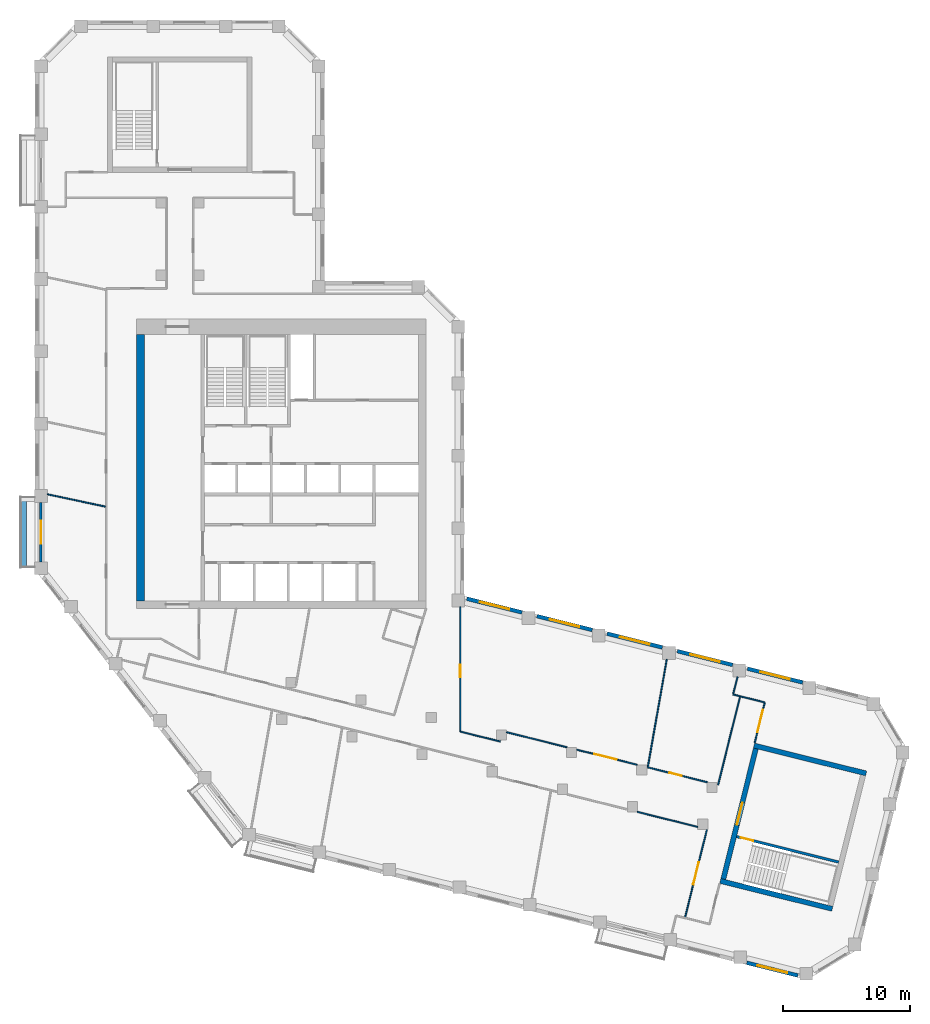
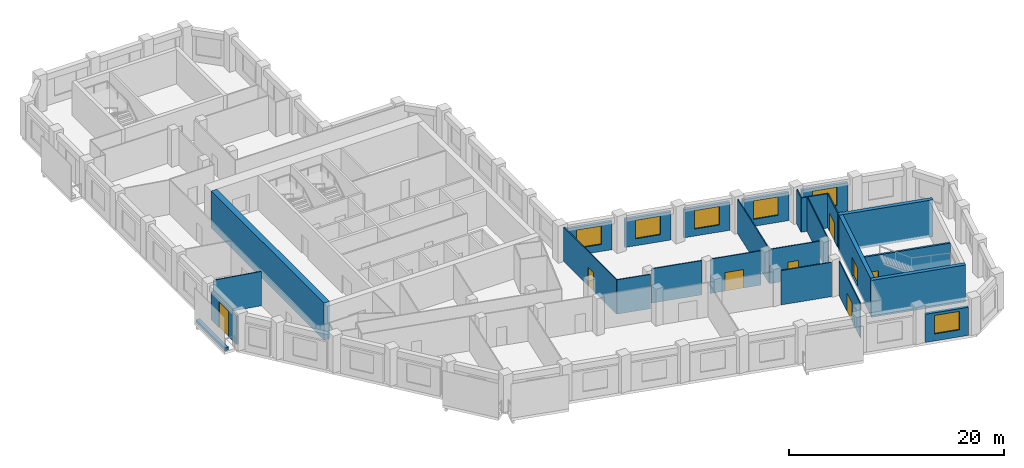
# One storey, part 4 of 9: 27 walls, 8 doors, 6 windows, 14 openings.
"""IFC4 building model written with IfcOpenShell, lengths in metres."""

import ifcopenshell
import ifcopenshell.guid

model = None  # the IFC model being written
_history = None  # IfcOwnerHistory: only IFC2X3 demands one
_inside = {}  # id of a spatial element -> (the spatial element, [elements in it])
_under = {}  # id of a project, library or spatial element -> (it, [spatial elements below it])
_declared = {}  # id of a project -> (the project, [libraries it declares])
_typed = {}  # id of a type object -> (the type object, [elements of that type])
_made_of = {}  # id of a material, layer set ... -> (it, [elements and type objects made of it])


def new_model(schema):
    """Start an empty IFC model of exactly this schema.

    Asked for "IFC4X3", IfcOpenShell would pick the latest addendum, in which some entities
    have other attributes; the version numbers below select the first issue.
    IFC2X3 requires an IfcOwnerHistory on every rooted entity: one is made here for all.
    """
    global model, _history
    if schema == "IFC4X3":
        model = ifcopenshell.file(schema_version=(4, 3, 0, 0))
    else:
        model = ifcopenshell.file(schema=schema)
    _inside.clear()
    _under.clear()
    _declared.clear()
    _typed.clear()
    _made_of.clear()
    _history = None
    if model.schema == "IFC2X3":
        org = make("IfcOrganization", Name="unknown")
        user = make(
            "IfcPersonAndOrganization",
            ThePerson=make("IfcPerson", FamilyName="unknown"),
            TheOrganization=org,
        )
        app = make(
            "IfcApplication",
            ApplicationDeveloper=org,
            Version="unknown",
            ApplicationFullName="unknown",
            ApplicationIdentifier="unknown",
        )
        _history = make(
            "IfcOwnerHistory",
            OwningUser=user,
            OwningApplication=app,
            ChangeAction="ADDED",
            CreationDate=0,
        )
    return model


def make(cls, **values):
    """One entity of the class cls with the attributes given. An attribute that is None is left unset."""
    return model.create_entity(
        cls, **{name: value for name, value in values.items() if value is not None}
    )


def rooted(cls, **values):
    """An entity with a GlobalId (a new one), such as an element, a storey or a relation."""
    return make(cls, GlobalId=ifcopenshell.guid.new(), OwnerHistory=_history, **values)


def si_unit(unit_type, name, prefix=None):
    """IfcSIUnit, for example si_unit("LENGTHUNIT", "METRE", prefix="MILLI")."""
    return make("IfcSIUnit", UnitType=unit_type, Prefix=prefix, Name=name)


def assignment(units):
    """IfcUnitAssignment: the units of a project."""
    return None if units is None else make("IfcUnitAssignment", Units=units)


def point(xyz):
    """IfcCartesianPoint."""
    return None if xyz is None else make("IfcCartesianPoint", Coordinates=xyz)


def direction(xyz):
    """IfcDirection."""
    return None if xyz is None else make("IfcDirection", DirectionRatios=xyz)


def frame(location, z_axis=None, x_axis=None):
    """IfcAxis2Placement3D, a coordinate frame: its origin and axes. An axis left out is left unset."""
    return make(
        "IfcAxis2Placement3D",
        Location=point(location),
        Axis=direction(z_axis),
        RefDirection=direction(x_axis),
    )


def frame_2d(location, x_axis=None):
    """IfcAxis2Placement2D, a coordinate frame in the plane: its origin and x axis."""
    return make(
        "IfcAxis2Placement2D", Location=point(location), RefDirection=direction(x_axis)
    )


def origin():
    """The frame at (0, 0, 0) with its axes left unset."""
    return frame((0.0, 0.0, 0.0))


def place(relative_to, where):
    """IfcLocalPlacement: puts the frame where relative to a parent placement (None: the world)."""
    return make(
        "IfcLocalPlacement", PlacementRelTo=relative_to, RelativePlacement=where
    )


def context(
    kind, dimensions, precision=None, world=None, true_north=None, identifier=None
):
    """IfcGeometricRepresentationContext, for example the 3D "Model" context."""
    return make(
        "IfcGeometricRepresentationContext",
        ContextIdentifier=identifier,
        ContextType=kind,
        CoordinateSpaceDimension=dimensions,
        Precision=precision,
        WorldCoordinateSystem=world,
        TrueNorth=true_north,
    )


def subcontext(parent, identifier, kind, view, scale=None):
    """IfcGeometricRepresentationSubContext, for example "Body" below "Model"."""
    return make(
        "IfcGeometricRepresentationSubContext",
        ContextIdentifier=identifier,
        ContextType=kind,
        ParentContext=parent,
        TargetScale=scale,
        TargetView=view,
    )


def project(units=None, contexts=None):
    """IfcProject with its units and contexts."""
    return rooted(
        "IfcProject",
        Name="project",
        RepresentationContexts=contexts,
        UnitsInContext=assignment(units),
    )


def spatial(cls, under=None, at=None, **own):
    """A site, building, storey or space (cls), placed at a placement, below another one or the project."""
    s = rooted(cls, ObjectPlacement=at, **own)
    if under is not None:
        _under.setdefault(under.id(), (under, []))[1].append(s)
    return s


def profile(cls, at=None, kind="AREA", **sizes):
    """A parametric profile (cls). Its sizes go by their IFC names, for example OverallWidth=200.0."""
    return make(cls, ProfileType=kind, Position=at, **sizes)


def rectangle(**sizes):
    """IfcRectangleProfileDef."""
    return profile("IfcRectangleProfileDef", **sizes)


def extrude(swept, where, along, depth):
    """IfcExtrudedAreaSolid: the profile swept, set in the frame where, extruded along a direction by depth."""
    return make(
        "IfcExtrudedAreaSolid",
        SweptArea=swept,
        Position=where,
        ExtrudedDirection=direction(along),
        Depth=depth,
    )


def shape(context_of_items, identifier, shape_type, items):
    """IfcShapeRepresentation: the items that make up one representation, for example the "Body"."""
    return make(
        "IfcShapeRepresentation",
        ContextOfItems=context_of_items,
        RepresentationIdentifier=identifier,
        RepresentationType=shape_type,
        Items=items,
    )


def material(Name=None, Category=None):
    """IfcMaterial."""
    return make("IfcMaterial", Name=Name, Category=Category)


def layer(
    of_material, thickness, ventilated=None, Name=None, Category=None, Priority=None
):
    """IfcMaterialLayer: one layer of a wall or slab, of a material (None: an air gap)."""
    return make(
        "IfcMaterialLayer",
        Material=of_material,
        LayerThickness=thickness,
        IsVentilated=ventilated,
        Name=Name,
        Category=Category,
        Priority=Priority,
    )


def layer_set(layers, Name=None):
    """IfcMaterialLayerSet."""
    return make("IfcMaterialLayerSet", MaterialLayers=layers, LayerSetName=Name)


def made_of(thing, what):
    """Note that an element or type object is made of a material, layer set ...; save() writes the relation."""
    if what is not None:
        _made_of.setdefault(what.id(), (what, []))[1].append(thing)
    return thing


def type_object(cls, material=None, **own):
    """A type object (cls), such as IfcWallType, which elements share."""
    return made_of(rooted(cls, **own), material)


def element(
    cls,
    number,
    at=None,
    inside=None,
    cuts=None,
    type_object=None,
    material=None,
    context=None,
    identifier="Body",
    shape_type=None,
    held_by="IfcProductDefinitionShape",
    body=None,
    shapes=None,
    **own,
):
    """One element of the class cls, such as IfcWall. Its Tag is "e" and its number.

    at: its placement. inside: the storey or other place that contains it. cuts: it is an
    opening in that element (IfcRelVoidsElement). A single representation is given by context,
    identifier, shape_type and body (its items); several are given by shapes. held_by: the class
    of the entity that holds the representations. save() writes the other relations.
    """
    e = rooted(cls, Tag="e%d" % number, ObjectPlacement=at, **own)
    if body is not None:
        shapes = [shape(context, identifier, shape_type, body)]
    if shapes is not None:
        e.Representation = make(held_by, Representations=shapes)
    if inside is not None:
        _inside.setdefault(inside.id(), (inside, []))[1].append(e)
    if cuts is not None:
        rooted(
            "IfcRelVoidsElement", RelatingBuildingElement=cuts, RelatedOpeningElement=e
        )
    if type_object is not None:
        _typed.setdefault(type_object.id(), (type_object, []))[1].append(e)
    return made_of(e, material)


def fill(opening, filler):
    """IfcRelFillsElement: the door or window that sits in an opening."""
    return rooted(
        "IfcRelFillsElement",
        RelatingOpeningElement=opening,
        RelatedBuildingElement=filler,
    )


def aggregate(whole, parts):
    """IfcRelAggregates: a whole, such as a stair, and the parts it consists of."""
    return rooted("IfcRelAggregates", RelatingObject=whole, RelatedObjects=parts)


def save(model, path):
    """Write the relations noted so far, then the file.

    IfcRelAggregates (storeys below a building ...), IfcRelContainedInSpatialStructure (elements
    in a storey), IfcRelDefinesByType, IfcRelAssociatesMaterial and IfcRelDeclares: one each for
    every whole, place, type object, material and project.
    """
    for whole, parts in _under.values():
        aggregate(whole, parts)
    for where, things in _inside.values():
        rooted(
            "IfcRelContainedInSpatialStructure",
            RelatedElements=things,
            RelatingStructure=where,
        )
    for kind, things in _typed.values():
        rooted("IfcRelDefinesByType", RelatedObjects=things, RelatingType=kind)
    for what, things in _made_of.values():
        rooted("IfcRelAssociatesMaterial", RelatedObjects=things, RelatingMaterial=what)
    for by, libraries in _declared.values():
        rooted("IfcRelDeclares", RelatingContext=by, RelatedDefinitions=libraries)
    model.write(path)


model = new_model("IFC4")

# Units and contexts
model_context = context("Model", 3, precision=1e-05, world=origin(), true_north=direction((0.0, 1.0)))
body_context = subcontext(model_context, "Body", "Model", "MODEL_VIEW")
ifc_project = project(units=[si_unit("LENGTHUNIT", "METRE"), si_unit("AREAUNIT", "SQUARE_METRE"), si_unit("VOLUMEUNIT", "CUBIC_METRE"), si_unit("PLANEANGLEUNIT", "RADIAN"), si_unit("MASSUNIT", "GRAM", prefix="KILO")], contexts=[model_context])

# Site, building, storey
site_placement = place(None, origin())
site = spatial("IfcSite", under=ifc_project, at=site_placement, CompositionType="ELEMENT")
building_placement = place(site_placement, origin())
building = spatial("IfcBuilding", under=site, at=building_placement, Name="Meshkara Civic Tower", CompositionType="ELEMENT")
storey_placement = place(building_placement, frame((0.0, 0.0, 294.0)))
storey = spatial("IfcBuildingStorey", under=building, at=storey_placement, Name="L67", CompositionType="ELEMENT", Elevation=294.0)

# Wall
ifc_material_1 = material(Name="Concrete C60", Category="concrete")
ifc_layer_1 = layer(ifc_material_1, 0.60009765625)
ifc_layer_set_1 = layer_set([ifc_layer_1], Name="Core ring wall 600 C60")
wall_type_1 = type_object("IfcWallType", Name="Core ring wall 600 C60", PredefinedType="SHEAR", material=ifc_layer_set_1)
wall_1_placement = place(storey_placement, frame((8.300048828125, 14.699951171875, -0.300048828125), z_axis=(0.0, 0.0, 1.0), x_axis=(0.0, 1.0, 0.0)))
element("IfcWall", 1, at=wall_1_placement, inside=storey, type_object=wall_type_1, Name="L67-C003", PredefinedType="SHEAR", context=body_context, shape_type="SweptSolid", body=[
    extrude(rectangle(XDim=21.0, YDim=0.60009765625, at=frame_2d((10.5, 0.0))), origin(), (0.0, 0.0, 1.0), 4.199951171875),
])

# Wall, opening, door
ifc_material_2 = material(Name="Corridor wall 100")
ifc_layer_2 = layer(ifc_material_2, 0.10009765625)
ifc_layer_set_2 = layer_set([ifc_layer_2], Name="Corridor wall 100")
wall_type_2 = type_object("IfcWallType", Name="Corridor wall 100", PredefinedType="PARTITIONING", material=ifc_layer_set_2)
wall_2_placement = place(storey_placement, frame((33.5, 4.39111328125, 0.0), z_axis=(0.0, 0.0, 1.0), x_axis=(0.0, 1.0, 0.0)))
wall_2 = element("IfcWall", 2, at=wall_2_placement, inside=storey, type_object=wall_type_2, Name="L67-W020", PredefinedType="PARTITIONING", context=body_context, shape_type="SweptSolid", body=[
    extrude(rectangle(XDim=9.827880859375, YDim=0.10009765625, at=frame_2d((4.9140625, 0.0))), origin(), (0.0, 0.0, 1.0), 3.89990234375),
])
opening_1_placement = place(wall_2_placement, frame((4.280029296875, 0.0, 0.0)))
opening_1 = element("IfcOpeningElement", 3, at=opening_1_placement, cuts=wall_2, Name="Opening L67-D012", PredefinedType="OPENING", context=body_context, shape_type="SweptSolid", body=[
    extrude(rectangle(XDim=1.0, YDim=2.10009765625, at=frame_2d((0.5, 1.050048828125))), frame((0.0, 0.06005859375, 0.0), z_axis=(0.0, -1.0, 0.0), x_axis=(1.0, 0.0, 0.0)), (0.0, 0.0, 1.0), 0.1201171875),
])
ifc_material_3 = material(Name="Door 1000 x 2100")
door_type_1 = type_object("IfcDoorType", Name="Door 1000 x 2100", OperationType="SINGLE_SWING_LEFT", PredefinedType="DOOR", material=ifc_material_3)
door_1_placement = place(opening_1_placement, origin())
door_1 = element("IfcDoor", 4, at=door_1_placement, inside=storey, type_object=door_type_1, Name="L67-D012", OperationType="SINGLE_SWING_RIGHT", OverallHeight=2.10009765625, OverallWidth=1.0, PredefinedType="DOOR", context=body_context, shape_type="SweptSolid", body=[
    extrude(rectangle(XDim=1.0, YDim=2.10009765625, at=frame_2d((0.5, 1.050048828125))), frame((0.0, 0.02490234375, 0.0), z_axis=(0.0, -1.0, 0.0), x_axis=(1.0, 0.0, 0.0)), (0.0, 0.0, 1.0), 0.050048828125),
])
fill(opening_1, door_1)

# Walls
wall_3_placement = place(storey_placement, frame((36.656005859375, 3.60400390625, 0.0), z_axis=(0.0, 0.0, 1.0), x_axis=(-0.970279216762, 0.241988102022, 0.0)))
element("IfcWall", 5, at=wall_3_placement, inside=storey, type_object=wall_type_2, Name="L67-W022", PredefinedType="PARTITIONING", context=body_context, shape_type="SweptSolid", body=[
    extrude(rectangle(XDim=3.252685546875, YDim=0.10009765625, at=frame_2d((1.62646484375, 0.0))), origin(), (0.0, 0.0, 1.0), 3.89990234375),
])
wall_4_placement = place(storey_placement, frame((41.908935546875, 3.155029296875, 0.0), z_axis=(0.0, 0.0, 1.0), x_axis=(-0.970320559999, 0.241822271189, 0.0)))
element("IfcWall", 6, at=wall_4_placement, inside=storey, type_object=wall_type_2, Name="L67-W024", PredefinedType="PARTITIONING", context=body_context, shape_type="SweptSolid", body=[
    extrude(rectangle(XDim=4.91259765625, YDim=0.10009765625, at=frame_2d((2.456298828125, 0.0))), origin(), (0.0, 0.0, 1.0), 3.89990234375),
])
wall_5_placement = place(storey_placement, frame((47.444091796875, -1.93505859375, 0.0), z_axis=(0.0, 0.0, 1.0), x_axis=(0.970285656006, -0.241962281665, 0.0)))
element("IfcWall", 7, at=wall_5_placement, inside=storey, type_object=wall_type_2, Name="L67-W025", PredefinedType="PARTITIONING", context=body_context, shape_type="SweptSolid", body=[
    extrude(rectangle(XDim=4.909912109375, YDim=0.10009765625, at=frame_2d((2.455078125, 0.0))), origin(), (0.0, 0.0, 1.0), 3.89990234375),
])

# Wall, opening, door
wall_6_placement = place(storey_placement, frame((47.44189453125, 1.77587890625, 0.0), z_axis=(0.0, 0.0, 1.0), x_axis=(-0.970297139117, 0.241916228932, 0.0)))
wall_6 = element("IfcWall", 8, at=wall_6_placement, inside=storey, type_object=wall_type_2, Name="L67-W026", PredefinedType="PARTITIONING", context=body_context, shape_type="SweptSolid", body=[
    extrude(rectangle(XDim=4.915771484375, YDim=0.10009765625, at=frame_2d((2.4580078125, 0.0))), origin(), (0.0, 0.0, 1.0), 3.89990234375),
])
opening_2_placement = place(wall_6_placement, frame((1.679931640625, 0.0, 0.0)))
opening_2 = element("IfcOpeningElement", 9, at=opening_2_placement, cuts=wall_6, Name="Opening L67-D006", PredefinedType="OPENING", context=body_context, shape_type="SweptSolid", body=[
    extrude(rectangle(XDim=1.800048828125, YDim=2.10009765625, at=frame_2d((0.89990234375, 1.050048828125))), frame((0.0, 0.06005859375, 0.0), z_axis=(0.0, -1.0, 0.0), x_axis=(1.0, 0.0, 0.0)), (0.0, 0.0, 1.0), 0.1201171875),
])
ifc_material_4 = material(Name="Door pair 1800 x 2100")
door_type_2 = type_object("IfcDoorType", Name="Door pair 1800 x 2100", OperationType="SINGLE_SWING_LEFT", PredefinedType="DOOR", material=ifc_material_4)
door_2_placement = place(opening_2_placement, origin())
door_2 = element("IfcDoor", 10, at=door_2_placement, inside=storey, type_object=door_type_2, Name="L67-D006", OperationType="DOUBLE_DOOR_SINGLE_SWING", OverallHeight=2.10009765625, OverallWidth=1.800048828125, PredefinedType="DOOR", context=body_context, shape_type="SweptSolid", body=[
    extrude(rectangle(XDim=1.800048828125, YDim=2.10009765625, at=frame_2d((0.89990234375, 1.050048828125))), frame((0.0, 0.02490234375, 0.0), z_axis=(0.0, -1.0, 0.0), x_axis=(1.0, 0.0, 0.0)), (0.0, 0.0, 1.0), 0.050048828125),
])
fill(opening_2, door_2)

wall_7_placement = place(storey_placement, frame((52.94091796875, -3.31396484375, 0.0), z_axis=(0.0, 0.0, 1.0), x_axis=(-0.241944492524, -0.97029009195, 0.0)))
wall_7 = element("IfcWall", 11, at=wall_7_placement, inside=storey, type_object=wall_type_2, Name="L67-W028", PredefinedType="PARTITIONING", context=body_context, shape_type="SweptSolid", body=[
    extrude(rectangle(XDim=7.191650390625, YDim=0.10009765625, at=frame_2d((3.595703125, 0.0))), origin(), (0.0, 0.0, 1.0), 3.89990234375),
])
opening_3_placement = place(wall_7_placement, frame((2.679931640625, 0.0, 0.0)))
opening_3 = element("IfcOpeningElement", 12, at=opening_3_placement, cuts=wall_7, Name="Opening L67-D001", PredefinedType="OPENING", context=body_context, shape_type="SweptSolid", body=[
    extrude(rectangle(XDim=1.800048828125, YDim=2.10009765625, at=frame_2d((0.89990234375, 1.050048828125))), frame((0.0, 0.06005859375, 0.0), z_axis=(0.0, -1.0, 0.0), x_axis=(1.0, 0.0, 0.0)), (0.0, 0.0, 1.0), 0.1201171875),
])
door_3_placement = place(opening_3_placement, origin())
door_3 = element("IfcDoor", 13, at=door_3_placement, inside=storey, type_object=door_type_2, Name="L67-D001", OperationType="DOUBLE_DOOR_SINGLE_SWING", OverallHeight=2.10009765625, OverallWidth=1.800048828125, PredefinedType="DOOR", context=body_context, shape_type="SweptSolid", body=[
    extrude(rectangle(XDim=1.800048828125, YDim=2.10009765625, at=frame_2d((0.89990234375, 1.050048828125))), frame((0.0, 0.02490234375, 0.0), z_axis=(0.0, -1.0, 0.0), x_axis=(1.0, 0.0, 0.0)), (0.0, 0.0, 1.0), 0.050048828125),
])
fill(opening_3, door_3)

wall_8_placement = place(storey_placement, frame((52.971923828125, 0.39697265625, 0.0), z_axis=(0.0, 0.0, 1.0), x_axis=(-0.970281685696, 0.241978202329, 0.0)))
wall_8 = element("IfcWall", 14, at=wall_8_placement, inside=storey, type_object=wall_type_2, Name="L67-W029", PredefinedType="PARTITIONING", context=body_context, shape_type="SweptSolid", body=[
    extrude(rectangle(XDim=4.843994140625, YDim=0.10009765625, at=frame_2d((2.421875, 0.0))), origin(), (0.0, 0.0, 1.0), 3.89990234375),
])
opening_4_placement = place(wall_8_placement, frame((2.080078125, 0.0, 0.0)))
opening_4 = element("IfcOpeningElement", 15, at=opening_4_placement, cuts=wall_8, Name="Opening L67-D007", PredefinedType="OPENING", context=body_context, shape_type="SweptSolid", body=[
    extrude(rectangle(XDim=1.0, YDim=2.10009765625, at=frame_2d((0.5, 1.050048828125))), frame((0.0, 0.06005859375, 0.0), z_axis=(0.0, -1.0, 0.0), x_axis=(1.0, 0.0, 0.0)), (0.0, 0.0, 1.0), 0.1201171875),
])
door_4_placement = place(opening_4_placement, origin())
door_4 = element("IfcDoor", 16, at=door_4_placement, inside=storey, type_object=door_type_1, Name="L67-D007", OperationType="SINGLE_SWING_LEFT", OverallHeight=2.10009765625, OverallWidth=1.0, PredefinedType="DOOR", context=body_context, shape_type="SweptSolid", body=[
    extrude(rectangle(XDim=1.0, YDim=2.10009765625, at=frame_2d((0.5, 1.050048828125))), frame((0.0, 0.02490234375, 0.0), z_axis=(0.0, -1.0, 0.0), x_axis=(1.0, 0.0, 0.0)), (0.0, 0.0, 1.0), 0.050048828125),
])
fill(opening_4, door_4)

# Wall
wall_9_placement = place(storey_placement, frame((55.555908203125, 7.173095703125, 0.0), z_axis=(0.0, 0.0, 1.0), x_axis=(-0.241937193493, -0.970291911955, 0.0)))
element("IfcWall", 17, at=wall_9_placement, inside=storey, type_object=wall_type_2, Name="L67-W031", PredefinedType="PARTITIONING", context=body_context, shape_type="SweptSolid", body=[
    extrude(rectangle(XDim=7.199951171875, YDim=0.10009765625, at=frame_2d((3.60009765625, 0.0))), origin(), (0.0, 0.0, 1.0), 3.89990234375),
])

# Wall, opening, door
wall_10_placement = place(storey_placement, frame((56.697998046875, 3.487060546875, 0.0), z_axis=(0.0, 0.0, 1.0), x_axis=(0.241856645367, 0.970311992656, 0.0)))
wall_10 = element("IfcWall", 18, at=wall_10_placement, inside=storey, type_object=wall_type_2, Name="L67-W032", PredefinedType="PARTITIONING", context=body_context, shape_type="SweptSolid", body=[
    extrude(rectangle(XDim=3.2998046875, YDim=0.10009765625, at=frame_2d((1.64990234375, 0.0))), origin(), (0.0, 0.0, 1.0), 3.89990234375),
])
opening_5_placement = place(wall_10_placement, frame((0.8798828125, 0.0, 0.0)))
opening_5 = element("IfcOpeningElement", 19, at=opening_5_placement, cuts=wall_10, Name="Opening L67-D008", PredefinedType="OPENING", context=body_context, shape_type="SweptSolid", body=[
    extrude(rectangle(XDim=1.800048828125, YDim=2.10009765625, at=frame_2d((0.89990234375, 1.050048828125))), frame((0.0, 0.06005859375, 0.0), z_axis=(0.0, -1.0, 0.0), x_axis=(1.0, 0.0, 0.0)), (0.0, 0.0, 1.0), 0.1201171875),
])
door_5_placement = place(opening_5_placement, origin())
door_5 = element("IfcDoor", 20, at=door_5_placement, inside=storey, type_object=door_type_2, Name="L67-D008", OperationType="DOUBLE_DOOR_SINGLE_SWING", OverallHeight=2.10009765625, OverallWidth=1.800048828125, PredefinedType="DOOR", context=body_context, shape_type="SweptSolid", body=[
    extrude(rectangle(XDim=1.800048828125, YDim=2.10009765625, at=frame_2d((0.89990234375, 1.050048828125))), frame((0.0, 0.02490234375, 0.0), z_axis=(0.0, -1.0, 0.0), x_axis=(1.0, 0.0, 0.0)), (0.0, 0.0, 1.0), 0.050048828125),
])
fill(opening_5, door_5)

# Wall
wall_11_placement = place(storey_placement, frame((57.49609375, 6.68896484375, 0.0), z_axis=(0.0, 0.0, 1.0), x_axis=(-0.970250131019, 0.242104694829, 0.0)))
element("IfcWall", 21, at=wall_11_placement, inside=storey, type_object=wall_type_2, Name="L67-W033", PredefinedType="PARTITIONING", context=body_context, shape_type="SweptSolid", body=[
    extrude(rectangle(XDim=1.999755859375, YDim=0.10009765625, at=frame_2d((1.0, 0.0))), origin(), (0.0, 0.0, 1.0), 3.89990234375),
])

# Wall, opening, window
ifc_material_5 = material(Name="Insulated infill panel with bronze anodised aluminium cladding", Category="aluminium")
ifc_layer_3 = layer(ifc_material_5, 0.300048828125)
ifc_layer_set_3 = layer_set([ifc_layer_3], Name="EXTERNAL INFILL WALL 300")
wall_type_3 = type_object("IfcWallType", Name="EXTERNAL INFILL WALL 300", PredefinedType="SOLIDWALL", material=ifc_layer_set_3)
wall_12_placement = place(storey_placement, frame((60.488037109375, 8.261962890625, 0.0), z_axis=(0.0, 0.0, 1.0), x_axis=(-0.970276766004, 0.241997928406, 0.0)))
wall_12 = element("IfcWall", 22, at=wall_12_placement, inside=storey, type_object=wall_type_3, Name="External wall", PredefinedType="SOLIDWALL", context=body_context, shape_type="SweptSolid", body=[
    extrude(rectangle(XDim=4.4873046875, YDim=0.300048828125, at=frame_2d((2.24365234375, 0.0))), origin(), (0.0, 0.0, 1.0), 3.199951171875),
])
opening_6_placement = place(wall_12_placement, frame((1.0439453125, 0.0, 0.800048828125)))
opening_6 = element("IfcOpeningElement", 23, at=opening_6_placement, cuts=wall_12, Name="Opening W7", PredefinedType="OPENING", context=body_context, shape_type="SweptSolid", body=[
    extrude(rectangle(XDim=2.39990234375, YDim=2.10009765625, at=frame_2d((1.199951171875, 1.050048828125))), frame((0.0, 0.159912109375, 0.0), z_axis=(0.0, -1.0, 0.0), x_axis=(1.0, 0.0, 0.0)), (0.0, 0.0, 1.0), 0.320068359375),
])
ifc_material_6 = material(Name="Tinted double glazing", Category="glass")
window_type = type_object("IfcWindowType", Name="WINDOW 2400x2100", PartitioningType="DOUBLE_PANEL_VERTICAL", PredefinedType="WINDOW", material=ifc_material_6)
window_1_placement = place(opening_6_placement, origin())
window_1 = element("IfcWindow", 24, at=window_1_placement, inside=storey, type_object=window_type, Name="Window", OverallHeight=2.10009765625, OverallWidth=2.39990234375, PartitioningType="DOUBLE_PANEL_VERTICAL", PredefinedType="WINDOW", context=body_context, shape_type="SweptSolid", body=[
    extrude(rectangle(XDim=2.39990234375, YDim=2.10009765625, at=frame_2d((1.199951171875, 1.050048828125))), frame((0.0, 0.030029296875, 0.0), z_axis=(0.0, -1.0, 0.0), x_axis=(1.0, 0.0, 0.0)), (0.0, 0.0, 1.0), 0.06005859375),
])
fill(opening_6, window_1)

wall_13_placement = place(storey_placement, frame((54.9580078125, 9.64111328125, 0.0), z_axis=(0.0, 0.0, 1.0), x_axis=(-0.970289506684, 0.241946839653, 0.0)))
wall_13 = element("IfcWall", 25, at=wall_13_placement, inside=storey, type_object=wall_type_3, Name="External wall", PredefinedType="SOLIDWALL", context=body_context, shape_type="SweptSolid", body=[
    extrude(rectangle(XDim=4.48828125, YDim=0.300048828125, at=frame_2d((2.244140625, 0.0))), origin(), (0.0, 0.0, 1.0), 3.199951171875),
])
opening_7_placement = place(wall_13_placement, frame((1.0439453125, 0.0, 0.800048828125)))
opening_7 = element("IfcOpeningElement", 26, at=opening_7_placement, cuts=wall_13, Name="Opening W7", PredefinedType="OPENING", context=body_context, shape_type="SweptSolid", body=[
    extrude(rectangle(XDim=2.39990234375, YDim=2.10009765625, at=frame_2d((1.199951171875, 1.050048828125))), frame((0.0, 0.159912109375, 0.0), z_axis=(0.0, -1.0, 0.0), x_axis=(1.0, 0.0, 0.0)), (0.0, 0.0, 1.0), 0.320068359375),
])
window_2_placement = place(opening_7_placement, origin())
window_2 = element("IfcWindow", 27, at=window_2_placement, inside=storey, type_object=window_type, Name="Window", OverallHeight=2.10009765625, OverallWidth=2.39990234375, PartitioningType="DOUBLE_PANEL_VERTICAL", PredefinedType="WINDOW", context=body_context, shape_type="SweptSolid", body=[
    extrude(rectangle(XDim=2.39990234375, YDim=2.10009765625, at=frame_2d((1.199951171875, 1.050048828125))), frame((0.0, 0.030029296875, 0.0), z_axis=(0.0, -1.0, 0.0), x_axis=(1.0, 0.0, 0.0)), (0.0, 0.0, 1.0), 0.06005859375),
])
fill(opening_7, window_2)

wall_14_placement = place(storey_placement, frame((49.427001953125, 11.02001953125, 0.0), z_axis=(0.0, 0.0, 1.0), x_axis=(-0.970289506684, 0.241946839653, 0.0)))
wall_14 = element("IfcWall", 28, at=wall_14_placement, inside=storey, type_object=wall_type_3, Name="External wall", PredefinedType="SOLIDWALL", context=body_context, shape_type="SweptSolid", body=[
    extrude(rectangle(XDim=4.48828125, YDim=0.300048828125, at=frame_2d((2.244140625, 0.0))), origin(), (0.0, 0.0, 1.0), 3.199951171875),
])
opening_8_placement = place(wall_14_placement, frame((1.0439453125, 0.0, 0.800048828125)))
opening_8 = element("IfcOpeningElement", 29, at=opening_8_placement, cuts=wall_14, Name="Opening W7", PredefinedType="OPENING", context=body_context, shape_type="SweptSolid", body=[
    extrude(rectangle(XDim=2.39990234375, YDim=2.10009765625, at=frame_2d((1.199951171875, 1.050048828125))), frame((0.0, 0.159912109375, 0.0), z_axis=(0.0, -1.0, 0.0), x_axis=(1.0, 0.0, 0.0)), (0.0, 0.0, 1.0), 0.320068359375),
])
window_3_placement = place(opening_8_placement, origin())
window_3 = element("IfcWindow", 30, at=window_3_placement, inside=storey, type_object=window_type, Name="Window", OverallHeight=2.10009765625, OverallWidth=2.39990234375, PartitioningType="DOUBLE_PANEL_VERTICAL", PredefinedType="WINDOW", context=body_context, shape_type="SweptSolid", body=[
    extrude(rectangle(XDim=2.39990234375, YDim=2.10009765625, at=frame_2d((1.199951171875, 1.050048828125))), frame((0.0, 0.030029296875, 0.0), z_axis=(0.0, -1.0, 0.0), x_axis=(1.0, 0.0, 0.0)), (0.0, 0.0, 1.0), 0.06005859375),
])
fill(opening_8, window_3)

wall_15_placement = place(storey_placement, frame((43.89599609375, 12.39892578125, 0.0), z_axis=(0.0, 0.0, 1.0), x_axis=(-0.970263990019, 0.242049147224, 0.0)))
wall_15 = element("IfcWall", 31, at=wall_15_placement, inside=storey, type_object=wall_type_3, Name="External wall", PredefinedType="SOLIDWALL", context=body_context, shape_type="SweptSolid", body=[
    extrude(rectangle(XDim=4.487548828125, YDim=0.300048828125, at=frame_2d((2.24365234375, 0.0))), origin(), (0.0, 0.0, 1.0), 3.199951171875),
])
opening_9_placement = place(wall_15_placement, frame((1.0439453125, 0.0, 0.800048828125)))
opening_9 = element("IfcOpeningElement", 32, at=opening_9_placement, cuts=wall_15, Name="Opening W7", PredefinedType="OPENING", context=body_context, shape_type="SweptSolid", body=[
    extrude(rectangle(XDim=2.39990234375, YDim=2.10009765625, at=frame_2d((1.199951171875, 1.050048828125))), frame((0.0, 0.159912109375, 0.0), z_axis=(0.0, -1.0, 0.0), x_axis=(1.0, 0.0, 0.0)), (0.0, 0.0, 1.0), 0.320068359375),
])
window_4_placement = place(opening_9_placement, origin())
window_4 = element("IfcWindow", 33, at=window_4_placement, inside=storey, type_object=window_type, Name="Window", OverallHeight=2.10009765625, OverallWidth=2.39990234375, PartitioningType="DOUBLE_PANEL_VERTICAL", PredefinedType="WINDOW", context=body_context, shape_type="SweptSolid", body=[
    extrude(rectangle(XDim=2.39990234375, YDim=2.10009765625, at=frame_2d((1.199951171875, 1.050048828125))), frame((0.0, 0.030029296875, 0.0), z_axis=(0.0, -1.0, 0.0), x_axis=(1.0, 0.0, 0.0)), (0.0, 0.0, 1.0), 0.06005859375),
])
fill(opening_9, window_4)

wall_16_placement = place(storey_placement, frame((38.365966796875, 13.778076171875, 0.0), z_axis=(0.0, 0.0, 1.0), x_axis=(-0.970289506684, 0.241946839653, 0.0)))
wall_16 = element("IfcWall", 34, at=wall_16_placement, inside=storey, type_object=wall_type_3, Name="External wall", PredefinedType="SOLIDWALL", context=body_context, shape_type="SweptSolid", body=[
    extrude(rectangle(XDim=4.48828125, YDim=0.300048828125, at=frame_2d((2.244140625, 0.0))), origin(), (0.0, 0.0, 1.0), 3.199951171875),
])
opening_10_placement = place(wall_16_placement, frame((1.0439453125, 0.0, 0.800048828125)))
opening_10 = element("IfcOpeningElement", 35, at=opening_10_placement, cuts=wall_16, Name="Opening W7", PredefinedType="OPENING", context=body_context, shape_type="SweptSolid", body=[
    extrude(rectangle(XDim=2.39990234375, YDim=2.10009765625, at=frame_2d((1.199951171875, 1.050048828125))), frame((0.0, 0.159912109375, 0.0), z_axis=(0.0, -1.0, 0.0), x_axis=(1.0, 0.0, 0.0)), (0.0, 0.0, 1.0), 0.320068359375),
])
window_5_placement = place(opening_10_placement, origin())
window_5 = element("IfcWindow", 36, at=window_5_placement, inside=storey, type_object=window_type, Name="Window", OverallHeight=2.10009765625, OverallWidth=2.39990234375, PartitioningType="DOUBLE_PANEL_VERTICAL", PredefinedType="WINDOW", context=body_context, shape_type="SweptSolid", body=[
    extrude(rectangle(XDim=2.39990234375, YDim=2.10009765625, at=frame_2d((1.199951171875, 1.050048828125))), frame((0.0, 0.030029296875, 0.0), z_axis=(0.0, -1.0, 0.0), x_axis=(1.0, 0.0, 0.0)), (0.0, 0.0, 1.0), 0.06005859375),
])
fill(opening_10, window_5)

wall_17_placement = place(storey_placement, frame((56.0810546875, -13.827880859375, 0.0), z_axis=(0.0, 0.0, 1.0), x_axis=(0.970246294139, -0.242120070853, 0.0)))
wall_17 = element("IfcWall", 37, at=wall_17_placement, inside=storey, type_object=wall_type_3, Name="External wall", PredefinedType="SOLIDWALL", context=body_context, shape_type="SweptSolid", body=[
    extrude(rectangle(XDim=4.147216796875, YDim=0.300048828125, at=frame_2d((2.07373046875, 0.0))), origin(), (0.0, 0.0, 1.0), 3.199951171875),
])
opening_11_placement = place(wall_17_placement, frame((0.8740234375, 0.0, 0.800048828125)))
opening_11 = element("IfcOpeningElement", 38, at=opening_11_placement, cuts=wall_17, Name="Opening W7", PredefinedType="OPENING", context=body_context, shape_type="SweptSolid", body=[
    extrude(rectangle(XDim=2.39990234375, YDim=2.10009765625, at=frame_2d((1.199951171875, 1.050048828125))), frame((0.0, 0.159912109375, 0.0), z_axis=(0.0, -1.0, 0.0), x_axis=(1.0, 0.0, 0.0)), (0.0, 0.0, 1.0), 0.320068359375),
])
window_6_placement = place(opening_11_placement, origin())
window_6 = element("IfcWindow", 39, at=window_6_placement, inside=storey, type_object=window_type, Name="Window", OverallHeight=2.10009765625, OverallWidth=2.39990234375, PartitioningType="DOUBLE_PANEL_VERTICAL", PredefinedType="WINDOW", context=body_context, shape_type="SweptSolid", body=[
    extrude(rectangle(XDim=2.39990234375, YDim=2.10009765625, at=frame_2d((1.199951171875, 1.050048828125))), frame((0.0, 0.030029296875, 0.0), z_axis=(0.0, -1.0, 0.0), x_axis=(1.0, 0.0, 0.0)), (0.0, 0.0, 1.0), 0.06005859375),
])
fill(opening_11, window_6)

# Walls
ifc_material_7 = material(Name="Concrete C60", Category="concrete")
ifc_layer_4 = layer(ifc_material_7, 0.39990234375)
ifc_layer_set_4 = layer_set([ifc_layer_4], Name="End core ring wall 400 C60")
wall_type_4 = type_object("IfcWallType", Name="End core ring wall 400 C60", PredefinedType="SHEAR", material=ifc_layer_set_4)
wall_18_placement = place(storey_placement, frame((53.988037109375, -7.3798828125, -0.300048828125), z_axis=(0.0, 0.0, 1.0), x_axis=(0.970281210621, -0.241980107272, 0.0)))
element("IfcWall", 40, at=wall_18_placement, inside=storey, type_object=wall_type_4, Name="L67-C031", PredefinedType="SHEAR", context=body_context, shape_type="SweptSolid", body=[
    extrude(rectangle(XDim=9.1005859375, YDim=0.39990234375, at=frame_2d((4.55029296875, 0.0))), origin(), (0.0, 0.0, 1.0), 4.199951171875),
])
wall_19_placement = place(storey_placement, frame((56.64892578125, 3.29296875, -0.300048828125), z_axis=(0.0, 0.0, 1.0), x_axis=(0.970312696888, -0.241853820019, 0.0)))
element("IfcWall", 41, at=wall_19_placement, inside=storey, type_object=wall_type_4, Name="L67-C032", PredefinedType="SHEAR", context=body_context, shape_type="SweptSolid", body=[
    extrude(rectangle(XDim=9.100341796875, YDim=0.39990234375, at=frame_2d((4.55029296875, 0.0))), origin(), (0.0, 0.0, 1.0), 4.199951171875),
])

# Wall, opening, door
wall_20_placement = place(storey_placement, frame((54.23095703125, -7.23388671875, -0.300048828125), z_axis=(0.0, 0.0, 1.0), x_axis=(0.241890652548, 0.970303515509, 0.0)))
wall_20 = element("IfcWall", 42, at=wall_20_placement, inside=storey, type_object=wall_type_4, Name="L67-C033", PredefinedType="SHEAR", context=body_context, shape_type="SweptSolid", body=[
    extrude(rectangle(XDim=10.599609375, YDim=0.39990234375, at=frame_2d((5.2998046875, 0.0))), origin(), (0.0, 0.0, 1.0), 4.199951171875),
])
opening_12_placement = place(wall_20_placement, frame((4.39990234375, 0.0, 0.300048828125)))
opening_12 = element("IfcOpeningElement", 43, at=opening_12_placement, cuts=wall_20, Name="Opening L67-K202", PredefinedType="OPENING", context=body_context, shape_type="SweptSolid", body=[
    extrude(rectangle(XDim=1.800048828125, YDim=2.10009765625, at=frame_2d((0.89990234375, 1.050048828125))), frame((0.0, 0.2099609375, 0.0), z_axis=(0.0, -1.0, 0.0), x_axis=(1.0, 0.0, 0.0)), (0.0, 0.0, 1.0), 0.419921875),
])
ifc_material_8 = material(Name="Fire-rated door leaf in steel frame", Category="steel")
door_type_3 = type_object("IfcDoorType", Name="Core double door 1800 EI 60", OperationType="DOUBLE_DOOR_SINGLE_SWING", PredefinedType="DOOR", material=ifc_material_8)
door_6_placement = place(opening_12_placement, origin())
door_6 = element("IfcDoor", 44, at=door_6_placement, inside=storey, type_object=door_type_3, Name="L67-K202", OperationType="DOUBLE_DOOR_SINGLE_SWING", OverallHeight=2.10009765625, OverallWidth=1.800048828125, PredefinedType="DOOR", context=body_context, shape_type="SweptSolid", body=[
    extrude(rectangle(XDim=1.800048828125, YDim=2.10009765625, at=frame_2d((0.89990234375, 1.050048828125))), frame((0.0, 0.02490234375, 0.0), z_axis=(0.0, -1.0, 0.0), x_axis=(1.0, 0.0, 0.0)), (0.0, 0.0, 1.0), 0.050048828125),
])
fill(opening_12, door_6)

ifc_material_9 = material(Name="Insulated infill panel with bronze anodised aluminium cladding", Category="aluminium")
ifc_layer_5 = layer(ifc_material_9, 0.199951171875)
ifc_layer_set_5 = layer_set([ifc_layer_5], Name="LOGGIA BACK WALL 200")
wall_type_5 = type_object("IfcWallType", Name="LOGGIA BACK WALL 200", PredefinedType="SOLIDWALL", material=ifc_layer_set_5)
wall_21_placement = place(storey_placement, frame((0.449951171875, 22.4541015625, 0.0), z_axis=(0.0, 0.0, 1.0), x_axis=(0.0, -1.0, 0.0)))
wall_21 = element("IfcWall", 45, at=wall_21_placement, inside=storey, type_object=wall_type_5, Name="Loggia wall", PredefinedType="SOLIDWALL", context=body_context, shape_type="SweptSolid", body=[
    extrude(rectangle(XDim=4.69921875, YDim=0.199951171875, at=frame_2d((2.349609375, 0.0))), origin(), (0.0, 0.0, 1.0), 3.199951171875),
])
opening_13_placement = place(wall_21_placement, frame((1.449951171875, 0.0, 0.0)))
opening_13 = element("IfcOpeningElement", 46, at=opening_13_placement, cuts=wall_21, Name="Opening L67-L002", PredefinedType="OPENING", context=body_context, shape_type="SweptSolid", body=[
    extrude(rectangle(XDim=1.800048828125, YDim=2.89990234375, at=frame_2d((0.89990234375, 1.449951171875))), frame((0.0, 0.10986328125, 0.0), z_axis=(0.0, -1.0, 0.0), x_axis=(1.0, 0.0, 0.0)), (0.0, 0.0, 1.0), 0.219970703125),
])
ifc_material_10 = material(Name="Tinted double glazing", Category="glass")
door_type_4 = type_object("IfcDoorType", Name="LOGGIA DOOR 1800x2900", OperationType="DOUBLE_DOOR_SINGLE_SWING", PredefinedType="DOOR", material=ifc_material_10)
door_7_placement = place(opening_13_placement, origin())
door_7 = element("IfcDoor", 47, at=door_7_placement, inside=storey, type_object=door_type_4, Name="L67-L002", OperationType="DOUBLE_DOOR_SINGLE_SWING", OverallHeight=2.89990234375, OverallWidth=1.800048828125, PredefinedType="DOOR", context=body_context, shape_type="SweptSolid", body=[
    extrude(rectangle(XDim=1.800048828125, YDim=2.89990234375, at=frame_2d((0.89990234375, 1.449951171875))), frame((0.0, 0.02490234375, 0.0), z_axis=(0.0, -1.0, 0.0), x_axis=(1.0, 0.0, 0.0)), (0.0, 0.0, 1.0), 0.050048828125),
])
fill(opening_13, door_7)

# Walls
ifc_material_11 = material(Name="Concrete C40", Category="concrete")
ifc_layer_6 = layer(ifc_material_11, 0.39990234375)
ifc_layer_set_6 = layer_set([ifc_layer_6], Name="PLANTER TRAY")
wall_type_6 = type_object("IfcWallType", Name="PLANTER TRAY", PredefinedType="SOLIDWALL", material=ifc_layer_set_6)
wall_22_placement = place(storey_placement, frame((-0.8798828125, 22.784912109375, 0.0), z_axis=(0.0, 0.0, 1.0), x_axis=(0.0, -1.0, 0.0)))
element("IfcWall", 48, at=wall_22_placement, inside=storey, type_object=wall_type_6, Name="Planter", PredefinedType="SOLIDWALL", context=body_context, shape_type="SweptSolid", body=[
    extrude(rectangle(XDim=5.35986328125, YDim=0.39990234375, at=frame_2d((2.679931640625, 0.0))), origin(), (0.0, 0.0, 1.0), 0.300048828125),
])
ifc_material_12 = material(Name="Partition 100")
ifc_layer_7 = layer(ifc_material_12, 0.10009765625)
ifc_layer_set_7 = layer_set([ifc_layer_7], Name="Partition 100")
wall_type_7 = type_object("IfcWallType", Name="Partition 100", PredefinedType="PARTITIONING", material=ifc_layer_set_7)
wall_23_placement = place(storey_placement, frame((5.5400390625, 22.117919921875, 0.0), z_axis=(0.0, 0.0, 1.0), x_axis=(-0.978129355615, 0.207997508842, 0.0)))
element("IfcWall", 49, at=wall_23_placement, inside=storey, type_object=wall_type_7, Name="L67-W036", PredefinedType="PARTITIONING", context=body_context, shape_type="SweptSolid", body=[
    extrude(rectangle(XDim=4.692626953125, YDim=0.10009765625, at=frame_2d((2.34619140625, 0.0))), origin(), (0.0, 0.0, 1.0), 3.89990234375),
])
wall_24_placement = place(storey_placement, frame((48.27197265625, 1.569091796875, 0.0), z_axis=(0.0, 0.0, 1.0), x_axis=(0.173638714165, 0.984809421636, 0.0)))
element("IfcWall", 50, at=wall_24_placement, inside=storey, type_object=wall_type_7, Name="L67-W051", PredefinedType="PARTITIONING", context=body_context, shape_type="SweptSolid", body=[
    extrude(rectangle(XDim=8.644287109375, YDim=0.10009765625, at=frame_2d((4.322265625, 0.0))), origin(), (0.0, 0.0, 1.0), 3.89990234375),
])
wall_25_placement = place(storey_placement, frame((55.0009765625, 7.31103515625, 0.0), z_axis=(0.0, 0.0, 1.0), x_axis=(0.24185476373, 0.970312461664, 0.0)))
element("IfcWall", 51, at=wall_25_placement, inside=storey, type_object=wall_type_7, Name="L67-W054", PredefinedType="PARTITIONING", context=body_context, shape_type="SweptSolid", body=[
    extrude(rectangle(XDim=1.434326171875, YDim=0.10009765625, at=frame_2d((0.71728515625, 0.0))), origin(), (0.0, 0.0, 1.0), 3.89990234375),
])
wall_26_placement = place(storey_placement, frame((55.56005859375, 7.172119140625, 0.0), z_axis=(0.0, 0.0, 1.0), x_axis=(-0.970490503334, 0.241139343405, 0.0)))
element("IfcWall", 52, at=wall_26_placement, inside=storey, type_object=wall_type_7, Name="L67-W055", PredefinedType="PARTITIONING", context=body_context, shape_type="SweptSolid", body=[
    extrude(rectangle(XDim=0.576171875, YDim=0.10009765625, at=frame_2d((0.2880859375, 0.0))), origin(), (0.0, 0.0, 1.0), 3.89990234375),
])

# Wall, opening, door
ifc_material_13 = material(Name="Concrete C40/50", Category="concrete")
ifc_layer_8 = layer(ifc_material_13, 0.199951171875)
ifc_layer_set_8 = layer_set([ifc_layer_8], Name="Stair enclosure wall 200 C40/50")
wall_type_8 = type_object("IfcWallType", Name="Stair enclosure wall 200 C40/50", PredefinedType="SOLIDWALL", material=ifc_layer_set_8)
wall_27_placement = place(storey_placement, frame((55.27099609375, -3.886962890625, 0.0), z_axis=(0.0, 0.0, 1.0), x_axis=(0.970296288869, -0.241919639151, 0.0)))
wall_27 = element("IfcWall", 53, at=wall_27_placement, inside=storey, type_object=wall_type_8, Name="L67-C035", PredefinedType="SOLIDWALL", context=body_context, shape_type="SweptSolid", body=[
    extrude(rectangle(XDim=8.300537109375, YDim=0.199951171875, at=frame_2d((4.150390625, 0.0))), origin(), (0.0, 0.0, 1.0), 3.89990234375),
])
opening_14_placement = place(wall_27_placement, frame((0.35009765625, 0.0, 0.0)))
opening_14 = element("IfcOpeningElement", 54, at=opening_14_placement, cuts=wall_27, Name="Opening L67-K201", PredefinedType="OPENING", context=body_context, shape_type="SweptSolid", body=[
    extrude(rectangle(XDim=1.0, YDim=2.10009765625, at=frame_2d((0.5, 1.050048828125))), frame((0.0, 0.10986328125, 0.0), z_axis=(0.0, -1.0, 0.0), x_axis=(1.0, 0.0, 0.0)), (0.0, 0.0, 1.0), 0.219970703125),
])
ifc_material_14 = material(Name="Fire-rated door leaf in steel frame", Category="steel")
door_type_5 = type_object("IfcDoorType", Name="Stair door 1000 EI 120", OperationType="SINGLE_SWING_LEFT", PredefinedType="DOOR", material=ifc_material_14)
door_8_placement = place(opening_14_placement, origin())
door_8 = element("IfcDoor", 55, at=door_8_placement, inside=storey, type_object=door_type_5, Name="L67-K201", OperationType="SINGLE_SWING_LEFT", OverallHeight=2.10009765625, OverallWidth=1.0, PredefinedType="DOOR", context=body_context, shape_type="SweptSolid", body=[
    extrude(rectangle(XDim=1.0, YDim=2.10009765625, at=frame_2d((0.5, 1.050048828125))), frame((0.0, 0.02490234375, 0.0), z_axis=(0.0, -1.0, 0.0), x_axis=(1.0, 0.0, 0.0)), (0.0, 0.0, 1.0), 0.050048828125),
])
fill(opening_14, door_8)

save(model, "model.ifc")
